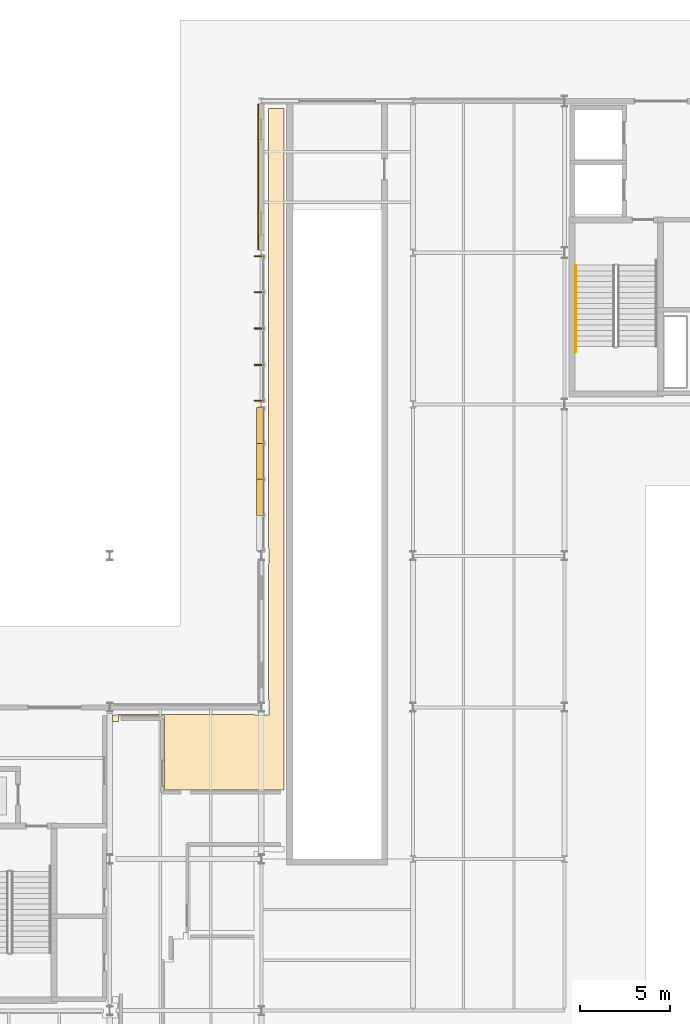
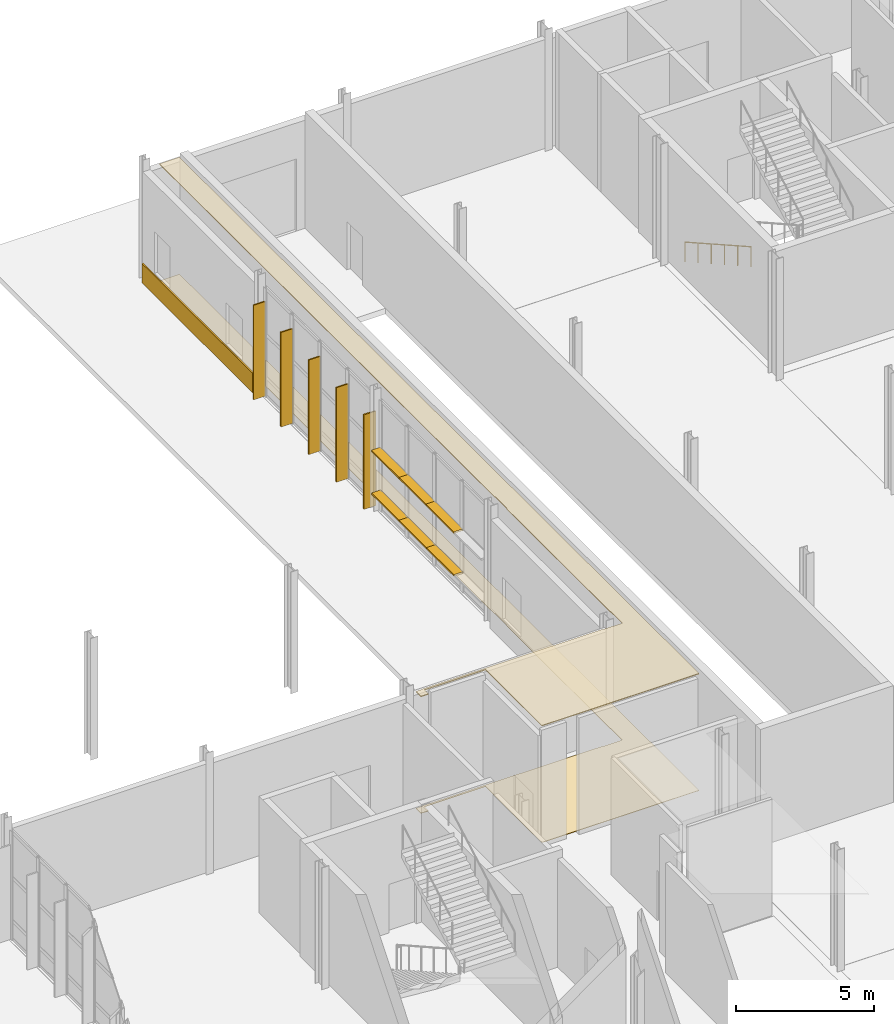
# One storey, part 110 of 124: 11 shading devices, 3 coverings, 1 railing.
"""IFC4 building model written with IfcOpenShell, lengths in metres."""

from ifc_helpers import new_model, si_unit, direction, frame, origin, origin_2d, place, context, subcontext, project, spatial, polyline, rectangle, circle, outline, extrude, material, layer, layer_set, type_object, element, save


model = new_model("IFC4")

# Units and contexts
model_context = context("Model", 3, precision=1e-05, world=origin(), true_north=direction((0.0, 1.0)))
body_context = subcontext(model_context, "Body", "Model", "MODEL_VIEW")
ifc_project = project(units=[si_unit("LENGTHUNIT", "METRE"), si_unit("AREAUNIT", "SQUARE_METRE"), si_unit("VOLUMEUNIT", "CUBIC_METRE"), si_unit("PLANEANGLEUNIT", "RADIAN"), si_unit("MASSUNIT", "GRAM", prefix="KILO")], contexts=[model_context])

# Site, building, storey
site_placement = place(None, origin())
site = spatial("IfcSite", under=ifc_project, at=site_placement, CompositionType="ELEMENT")
building_placement = place(site_placement, origin())
building = spatial("IfcBuilding", under=site, at=building_placement, Name="Mersafa Astral City Hall", CompositionType="ELEMENT")
storey_placement = place(building_placement, origin())
storey = spatial("IfcBuildingStorey", under=building, at=storey_placement, Name="L00", CompositionType="ELEMENT", Elevation=0.0)

# Covering
ifc_material_1 = material(Name="Cairo Mokattam buff limestone cladding", Category="masonry")
ifc_layer_1 = layer(ifc_material_1, 0.06005859375, Name="Cairo Mokattam buff limestone cladding")
ifc_layer_set_1 = layer_set([ifc_layer_1], Name="Cairo Mokattam buff limestone cladding — ENV-COV-LIMESTONE-60")
covering_type_1 = type_object("IfcCoveringType", Name="ENV-COV-LIMESTONE-60", PredefinedType="CLADDING", material=ifc_layer_set_1)
covering_1_placement = place(storey_placement, frame((25.02294921875, 121.800048828125, 0.0), z_axis=(0.0, 0.0, 1.0), x_axis=(0.0, -1.0, 0.0)))
element("IfcCovering", 1, at=covering_1_placement, inside=storey, type_object=covering_type_1, Name="L00 Cairo buff limestone rainscreen cladding 44", PredefinedType="CLADDING", context=body_context, shape_type="SweptSolid", body=[
    extrude(rectangle(XDim=8.048095703125, YDim=0.06005859375, at=origin_2d()), origin(), (0.0, 0.0, 1.0), 0.860107421875),
])

# Shading devices
ifc_material_2 = material(Name="Anodised bronze aluminium solar fin", Category="aluminium")
shading_device_type_1 = type_object("IfcShadingDeviceType", Name="ENV-SHD-FIN-500B", PredefinedType="USERDEFINED", material=ifc_material_2)
for number, where, z_axis, x_axis, name in (
    (2, (25.054931640625, 117.407958984375, -0.01513671875), (0.0, 0.0, 1.0), (0.0, -1.0, 0.0), "L00 Vertical bronze solar fin 214"),
    (3, (25.054931640625, 115.4189453125, -0.01513671875), (0.0, 0.0, 1.0), (0.0, -1.0, 0.0), "L00 Vertical bronze solar fin 215"),
    (4, (25.054931640625, 113.39990234375, -0.01513671875), (0.0, 0.0, 1.0), (0.0, -1.0, 0.0), "L00 Vertical bronze solar fin 216"),
    (5, (25.054931640625, 111.381103515625, -0.01513671875), (0.0, 0.0, 1.0), (0.0, -1.0, 0.0), "L00 Vertical bronze solar fin 217"),
    (6, (25.054931640625, 109.39208984375, -0.01513671875), (0.0, 0.0, 1.0), (0.0, -1.0, 0.0), "L00 Vertical bronze solar fin 218"),
):
    element("IfcShadingDevice", number, at=place(storey_placement, frame(where, z_axis=z_axis, x_axis=x_axis)), inside=storey, type_object=shading_device_type_1, Name=name, ObjectType="FIN", PredefinedType="USERDEFINED", context=body_context, shape_type="SweptSolid", body=[
        extrude(rectangle(XDim=0.06005859375, YDim=0.5, at=origin_2d()), origin(), (0.0, 0.0, 1.0), 4.199951171875),
    ])
ifc_material_3 = material(Name="Kiln-dried cedar timber brise-soleil blade", Category="wood")
shading_device_type_2 = type_object("IfcShadingDeviceType", Name="ENV-SHD-LOUVRE-380", PredefinedType="JALOUSIE", material=ifc_material_3)
shading_device_1_placement = place(storey_placement, frame((25.1201171875, 108.02587890625, 0.81494140625), z_axis=(0.0, 0.0, 1.0), x_axis=(0.0, -1.0, 0.0)))
element("IfcShadingDevice", 7, at=shading_device_1_placement, inside=storey, type_object=shading_device_type_2, Name="L00 Horizontal cedar brise-soleil louvre 219", PredefinedType="JALOUSIE", context=body_context, shape_type="SweptSolid", body=[
    extrude(rectangle(XDim=2.00390625, YDim=0.3798828125, at=origin_2d()), origin(), (0.0, 0.0, 1.0), 0.070068359375),
])
for number, where, z_axis, x_axis, name in (
    (8, (25.1201171875, 106.047119140625, 0.81494140625), (0.0, 0.0, 1.0), (0.0, -1.0, 0.0), "L00 Horizontal cedar brise-soleil louvre 220"),
    (9, (25.1201171875, 104.052978515625, 0.81494140625), (0.0, 0.0, 1.0), (0.0, -1.0, 0.0), "L00 Horizontal cedar brise-soleil louvre 221"),
):
    element("IfcShadingDevice", number, at=place(storey_placement, frame(where, z_axis=z_axis, x_axis=x_axis)), inside=storey, type_object=shading_device_type_2, Name=name, PredefinedType="JALOUSIE", context=body_context, shape_type="SweptSolid", body=[
        extrude(rectangle(XDim=2.033935546875, YDim=0.3798828125, at=origin_2d()), origin(), (0.0, 0.0, 1.0), 0.070068359375),
    ])
shading_device_2_placement = place(storey_placement, frame((25.1201171875, 108.02587890625, 2.71484375), z_axis=(0.0, 0.0, 1.0), x_axis=(0.0, -1.0, 0.0)))
element("IfcShadingDevice", 10, at=shading_device_2_placement, inside=storey, type_object=shading_device_type_2, Name="L00 Horizontal cedar brise-soleil louvre 223", PredefinedType="JALOUSIE", context=body_context, shape_type="SweptSolid", body=[
    extrude(rectangle(XDim=2.00390625, YDim=0.3798828125, at=origin_2d()), origin(), (0.0, 0.0, 1.0), 0.070068359375),
])
for number, where, z_axis, x_axis, name in (
    (11, (25.1201171875, 106.047119140625, 2.71484375), (0.0, 0.0, 1.0), (0.0, -1.0, 0.0), "L00 Horizontal cedar brise-soleil louvre 224"),
    (12, (25.1201171875, 104.052978515625, 2.71484375), (0.0, 0.0, 1.0), (0.0, -1.0, 0.0), "L00 Horizontal cedar brise-soleil louvre 225"),
):
    element("IfcShadingDevice", number, at=place(storey_placement, frame(where, z_axis=z_axis, x_axis=x_axis)), inside=storey, type_object=shading_device_type_2, Name=name, PredefinedType="JALOUSIE", context=body_context, shape_type="SweptSolid", body=[
        extrude(rectangle(XDim=2.033935546875, YDim=0.3798828125, at=origin_2d()), origin(), (0.0, 0.0, 1.0), 0.070068359375),
    ])

# Railing
ifc_material_4 = material(Name="Brushed stainless steel tubular handrail", Category="steel")
railing_type = type_object("IfcRailingType", Name="HANDRAIL", PredefinedType="HANDRAIL", material=ifc_material_4)
railing_placement = place(storey_placement, frame((42.6298828125, 116.89990234375, 0.168701171875)))
element("IfcRailing", 13, at=railing_placement, inside=storey, type_object=railing_type, Name="L00 ST3 stair handrail 1", PredefinedType="HANDRAIL", context=body_context, shape_type="SweptSolid", body=[
    extrude(circle(Radius=0.02392578125, at=origin_2d()), frame((0.0, 0.0, 0.8759765625), z_axis=(0.0, -0.871324497418, 0.49070726528), x_axis=(1.0, 0.0, 0.0)), (0.0, 0.0, 1.0), 5.508544921875),
    extrude(circle(Radius=0.02099609375, at=origin_2d()), origin(), (0.0, 0.0, 1.0), 0.851806640625),
    extrude(circle(Radius=0.02099609375, at=origin_2d()), frame((0.0, -0.9599609375, 0.54052734375)), (0.0, 0.0, 1.0), 0.851806640625),
    extrude(circle(Radius=0.02099609375, at=origin_2d()), frame((0.0, -1.919921875, 1.081298828125)), (0.0, 0.0, 1.0), 0.851806640625),
    extrude(circle(Radius=0.02099609375, at=origin_2d()), frame((0.0, -2.8798828125, 1.621826171875)), (0.0, 0.0, 1.0), 0.851806640625),
    extrude(circle(Radius=0.02099609375, at=origin_2d()), frame((0.0, -3.83984375, 2.16259765625)), (0.0, 0.0, 1.0), 0.851806640625),
    extrude(circle(Radius=0.02099609375, at=origin_2d()), frame((0.0, -4.7998046875, 2.703125)), (0.0, 0.0, 1.0), 0.851806640625),
])

# Coverings
ifc_material_5 = material(Name="Slatted cedar timber acoustic baffle ceiling", Category="wood")
ifc_layer_2 = layer(ifc_material_5, 0.034912109375, Name="Slatted cedar timber acoustic baffle ceiling")
ifc_layer_set_2 = layer_set([ifc_layer_2], Name="Slatted cedar timber acoustic baffle ceiling — INT-COV-CEIL-35")
covering_type_2 = type_object("IfcCoveringType", Name="INT-COV-CEIL-35", PredefinedType="CEILING", material=ifc_layer_set_2)
covering_2_placement = place(storey_placement, frame((0.0, 0.0, 5.1708984375)))
element("IfcCovering", 14, at=covering_2_placement, inside=storey, type_object=covering_type_2, Name="L00 Civil Registry Reception Hall L00-26 acoustic ceiling", PredefinedType="CEILING", context=body_context, shape_type="SweptSolid", body=[
    extrude(outline(polyline([(24.780029296875, 92.0), (24.780029296875, 91.97998046875), (25.6201171875, 91.97998046875), (25.6201171875, 92.820068359375), (25.60009765625, 92.820068359375), (25.60009765625, 100.3798828125), (25.6201171875, 100.3798828125), (25.6201171875, 101.219970703125), (25.60009765625, 101.219970703125), (25.60009765625, 125.60009765625), (26.43994140625, 125.60009765625), (26.43994140625, 87.820068359375), (19.840087890625, 87.820068359375), (19.840087890625, 91.919921875), (17.280029296875, 91.919921875), (17.280029296875, 91.6201171875), (16.9599609375, 91.6201171875), (16.9599609375, 91.97998046875), (17.219970703125, 91.97998046875), (17.219970703125, 92.0), (24.780029296875, 92.0)])), origin(), (0.0, 0.0, 1.0), 0.03515625),
])
ifc_material_6 = material(Name="Honed Cairo limestone terrazzo flooring", Category="masonry")
ifc_layer_3 = layer(ifc_material_6, 0.02001953125, Name="Honed Cairo limestone terrazzo flooring")
ifc_layer_set_3 = layer_set([ifc_layer_3], Name="Honed Cairo limestone terrazzo flooring — INT-COV-FLR-20")
covering_type_3 = type_object("IfcCoveringType", Name="INT-COV-FLR-20", PredefinedType="FLOORING", material=ifc_layer_set_3)
covering_3_placement = place(storey_placement, frame((0.0, 0.0, -0.00146484375)))
element("IfcCovering", 15, at=covering_3_placement, inside=storey, type_object=covering_type_3, Name="L00 Civil Registry Reception Hall L00-26 architectural flooring", PredefinedType="FLOORING", context=body_context, shape_type="SweptSolid", body=[
    extrude(outline(polyline([(24.780029296875, 92.0), (24.780029296875, 91.97998046875), (25.6201171875, 91.97998046875), (25.6201171875, 92.820068359375), (25.60009765625, 92.820068359375), (25.60009765625, 100.3798828125), (25.6201171875, 100.3798828125), (25.6201171875, 101.219970703125), (25.60009765625, 101.219970703125), (25.60009765625, 125.60009765625), (26.43994140625, 125.60009765625), (26.43994140625, 87.820068359375), (19.840087890625, 87.820068359375), (19.840087890625, 91.919921875), (17.280029296875, 91.919921875), (17.280029296875, 91.6201171875), (16.9599609375, 91.6201171875), (16.9599609375, 91.97998046875), (17.219970703125, 91.97998046875), (17.219970703125, 92.0), (24.780029296875, 92.0)])), origin(), (0.0, 0.0, 1.0), 0.02001953125),
])

save(model, "model.ifc")
